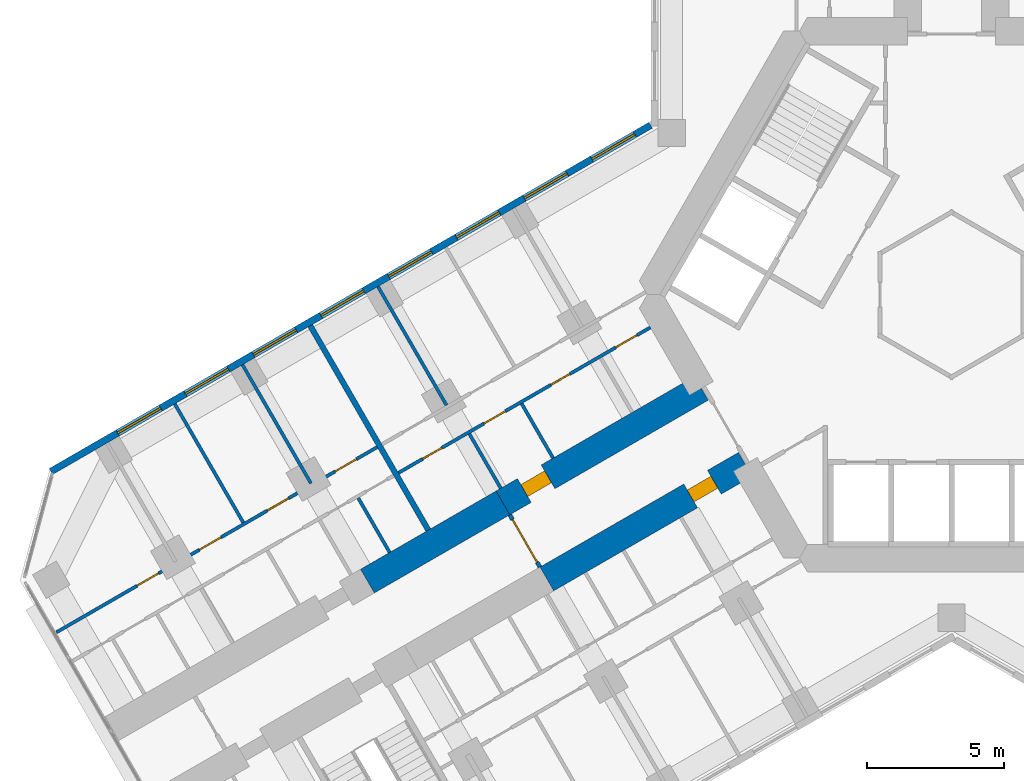
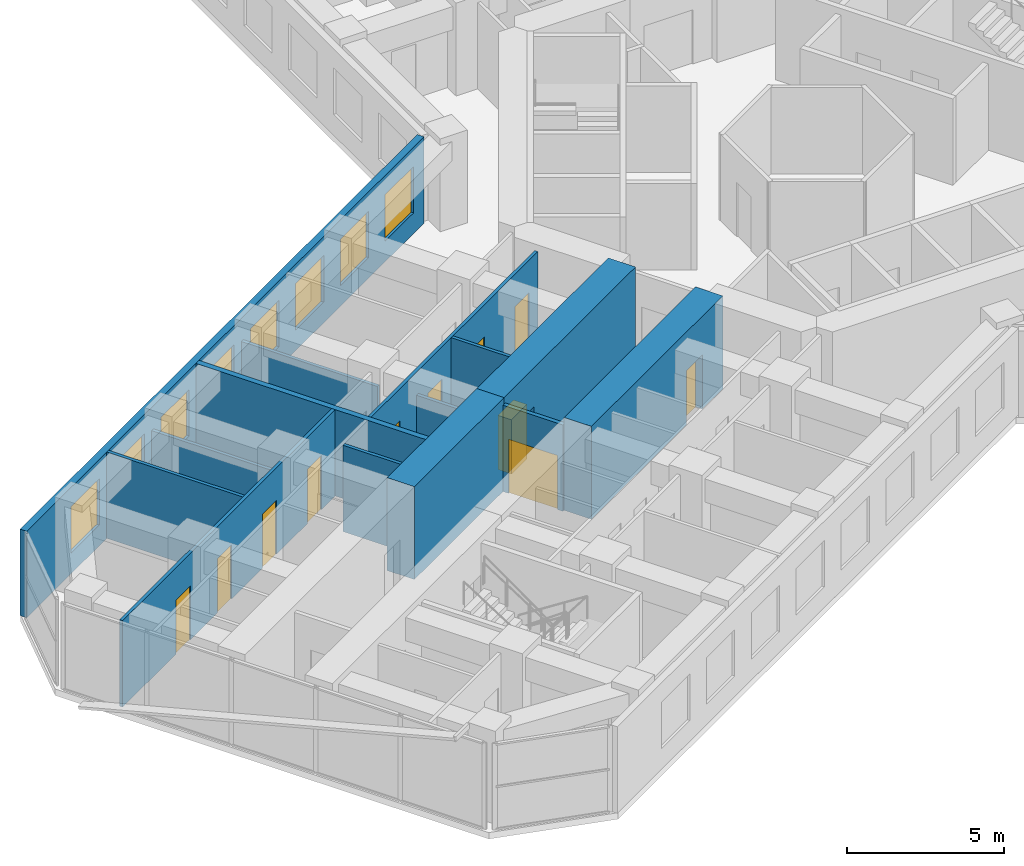
# One storey, part 12 of 21: 14 walls, 11 doors, 8 windows, 19 openings.
"""IFC4 building model written with IfcOpenShell, lengths in metres."""

from ifc_helpers import new_model, si_unit, direction, frame, frame_2d, origin, place, context, subcontext, project, spatial, rectangle, extrude, material, layer, layer_set, type_object, element, fill, save


model = new_model("IFC4")

# Units and contexts
model_context = context("Model", 3, precision=1e-05, world=origin(), true_north=direction((0.0, 1.0)))
body_context = subcontext(model_context, "Body", "Model", "MODEL_VIEW")
ifc_project = project(units=[si_unit("LENGTHUNIT", "METRE"), si_unit("AREAUNIT", "SQUARE_METRE"), si_unit("VOLUMEUNIT", "CUBIC_METRE"), si_unit("PLANEANGLEUNIT", "RADIAN"), si_unit("MASSUNIT", "GRAM", prefix="KILO")], contexts=[model_context])

# Site, building, storey
site_placement = place(None, origin())
site = spatial("IfcSite", under=ifc_project, at=site_placement, CompositionType="ELEMENT")
building_placement = place(site_placement, origin())
building = spatial("IfcBuilding", under=site, at=building_placement, Name="Kosmar Iwan School Tower", CompositionType="ELEMENT")
storey_placement = place(building_placement, frame((0.0, 0.0, 61.0)))
storey = spatial("IfcBuildingStorey", under=building, at=storey_placement, Name="L14", CompositionType="ELEMENT", Elevation=61.0)

# Wall, opening, door
ifc_material_1 = material(Name="Concrete C50/60", Category="concrete")
ifc_layer_1 = layer(ifc_material_1, 1.0)
ifc_layer_set_1 = layer_set([ifc_layer_1], Name="Corridor buttress wall 1000")
wall_type_1 = type_object("IfcWallType", Name="Corridor buttress wall 1000", PredefinedType="SHEAR", material=ifc_layer_set_1)
wall_1_placement = place(storey_placement, frame((-7.513916015625, -6.185546875, 0.0), z_axis=(0.0, 0.0, 1.0), x_axis=(-0.866019549707, -0.500010139422, 0.0)))
wall_1 = element("IfcWall", 1, at=wall_1_placement, inside=storey, type_object=wall_type_1, Name="Corridor wall BL", PredefinedType="SHEAR", context=body_context, shape_type="SweptSolid", body=[
    extrude(rectangle(XDim=8.349853515625, YDim=1.0, at=frame_2d((4.1748046875, 0.0))), origin(), (0.0, 0.0, 1.0), 3.60009765625),
])
opening_1_placement = place(wall_1_placement, frame((1.300048828125, 0.0, 0.0)))
opening_1 = element("IfcOpeningElement", 2, at=opening_1_placement, cuts=wall_1, Name="Opening D1", PredefinedType="OPENING", context=body_context, shape_type="SweptSolid", body=[
    extrude(rectangle(XDim=1.0, YDim=2.10009765625, at=frame_2d((0.5, 1.050048828125))), frame((0.0, 0.511962890625, 0.0), z_axis=(0.0, -1.0, 0.0), x_axis=(1.0, 0.0, 0.0)), (0.0, 0.0, 1.0), 1.02392578125),
])
ifc_material_2 = material(Name="Timber fire door in steel frame", Category="steel")
door_type_1 = type_object("IfcDoorType", Name="Flat entrance door 1000x2100", OperationType="SINGLE_SWING_LEFT", PredefinedType="DOOR", material=ifc_material_2)
door_1_placement = place(opening_1_placement, origin())
door_1 = element("IfcDoor", 3, at=door_1_placement, inside=storey, type_object=door_type_1, Name="Flat L14-BL1 entrance door", OperationType="SINGLE_SWING_RIGHT", OverallHeight=2.10009765625, OverallWidth=1.0, PredefinedType="DOOR", context=body_context, shape_type="SweptSolid", body=[
    extrude(rectangle(XDim=1.0, YDim=2.10009765625, at=frame_2d((0.5, 1.050048828125))), frame((0.0, 0.25, 0.0), z_axis=(0.0, -1.0, 0.0), x_axis=(1.0, 0.0, 0.0)), (0.0, 0.0, 1.0), 0.5),
])
fill(opening_1, door_1)

wall_2_placement = place(storey_placement, frame((-9.11376953125, -3.414306640625, 0.0), z_axis=(0.0, 0.0, 1.0), x_axis=(-0.866026859388, -0.499997478812, 0.0)))
wall_2 = element("IfcWall", 4, at=wall_2_placement, inside=storey, type_object=wall_type_1, Name="Corridor wall BR", PredefinedType="SHEAR", context=body_context, shape_type="SweptSolid", body=[
    extrude(rectangle(XDim=8.35009765625, YDim=1.0, at=frame_2d((4.175048828125, 0.0))), origin(), (0.0, 0.0, 1.0), 3.60009765625),
])
opening_2_placement = place(wall_2_placement, frame((6.449951171875, 0.0, 0.0)))
opening_2 = element("IfcOpeningElement", 5, at=opening_2_placement, cuts=wall_2, Name="Opening D1", PredefinedType="OPENING", context=body_context, shape_type="SweptSolid", body=[
    extrude(rectangle(XDim=1.0, YDim=2.10009765625, at=frame_2d((0.5, 1.050048828125))), frame((0.0, 0.511962890625, 0.0), z_axis=(0.0, -1.0, 0.0), x_axis=(1.0, 0.0, 0.0)), (0.0, 0.0, 1.0), 1.02392578125),
])
door_2_placement = place(opening_2_placement, origin())
door_2 = element("IfcDoor", 6, at=door_2_placement, inside=storey, type_object=door_type_1, Name="Flat L14-BR1 entrance door", OperationType="SINGLE_SWING_RIGHT", OverallHeight=2.10009765625, OverallWidth=1.0, PredefinedType="DOOR", context=body_context, shape_type="SweptSolid", body=[
    extrude(rectangle(XDim=1.0, YDim=2.10009765625, at=frame_2d((0.5, 1.050048828125))), frame((0.0, 0.25, 0.0), z_axis=(0.0, -1.0, 0.0), x_axis=(1.0, 0.0, 0.0)), (0.0, 0.0, 1.0), 0.5),
])
fill(opening_2, door_2)

# Wall
wall_3_placement = place(storey_placement, frame((-16.34521484375, -7.58935546875, 0.0), z_axis=(0.0, 0.0, 1.0), x_axis=(-0.866015111908, -0.50001782563, 0.0)))
element("IfcWall", 7, at=wall_3_placement, inside=storey, type_object=wall_type_1, Name="Corridor wall BR bay 2", PredefinedType="SHEAR", context=body_context, shape_type="SweptSolid", body=[
    extrude(rectangle(XDim=5.699951171875, YDim=1.0, at=frame_2d((2.85009765625, 0.0))), origin(), (0.0, 0.0, 1.0), 3.60009765625),
])

# Wall, opening, door
ifc_material_3 = material(Name="Gypsum board on steel studs, fire-rated", Category="steel")
ifc_layer_2 = layer(ifc_material_3, 0.14990234375)
ifc_layer_set_2 = layer_set([ifc_layer_2], Name="Corridor end wall 150")
wall_type_2 = type_object("IfcWallType", Name="Corridor end wall 150", PredefinedType="PARTITIONING", material=ifc_layer_set_2)
wall_4_placement = place(storey_placement, frame((-16.09521484375, -8.0224609375, 0.0), z_axis=(0.0, 0.0, 1.0), x_axis=(0.50002983664, -0.866008176907, 0.0)))
wall_4 = element("IfcWall", 8, at=wall_4_placement, inside=storey, type_object=wall_type_2, Name="Partition L14-B-HW", PredefinedType="PARTITIONING", context=body_context, shape_type="SweptSolid", body=[
    extrude(rectangle(XDim=2.199951171875, YDim=0.14990234375, at=frame_2d((1.10009765625, 0.0))), origin(), (0.0, 0.0, 1.0), 3.35009765625),
])
opening_3_placement = place(wall_4_placement, frame((0.199951171875, 0.0, 0.0)))
opening_3 = element("IfcOpeningElement", 9, at=opening_3_placement, cuts=wall_4, Name="Opening D9", PredefinedType="OPENING", context=body_context, shape_type="SweptSolid", body=[
    extrude(rectangle(XDim=1.800048828125, YDim=2.10009765625, at=frame_2d((0.89990234375, 1.050048828125))), frame((0.0, 0.0869140625, 0.0), z_axis=(0.0, -1.0, 0.0), x_axis=(1.0, 0.0, 0.0)), (0.0, 0.0, 1.0), 0.173828125),
])
ifc_material_4 = material(Name="Steel framed glazed smoke door", Category="steel")
door_type_2 = type_object("IfcDoorType", Name="Corridor smoke door pair 1800x2100", OperationType="DOUBLE_DOOR_DOUBLE_SWING", PredefinedType="DOOR", material=ifc_material_4)
door_3_placement = place(opening_3_placement, origin())
door_3 = element("IfcDoor", 10, at=door_3_placement, inside=storey, type_object=door_type_2, Name="Entrance vestibule smoke doors L14-B", OperationType="DOUBLE_DOOR_DOUBLE_SWING", OverallHeight=2.10009765625, OverallWidth=1.800048828125, PredefinedType="DOOR", context=body_context, shape_type="SweptSolid", body=[
    extrude(rectangle(XDim=1.800048828125, YDim=2.10009765625, at=frame_2d((0.89990234375, 1.050048828125))), frame((0.0, 0.02490234375, 0.0), z_axis=(0.0, -1.0, 0.0), x_axis=(1.0, 0.0, 0.0)), (0.0, 0.0, 1.0), 0.050048828125),
])
fill(opening_3, door_3)

# Wall, openings, doors
ifc_material_5 = material(Name="Gypsum board on steel studs", Category="steel")
ifc_layer_3 = layer(ifc_material_5, 0.1201171875)
ifc_layer_set_3 = layer_set([ifc_layer_3], Name="Dwelling partition 120")
wall_type_3 = type_object("IfcWallType", Name="Dwelling partition 120", PredefinedType="PARTITIONING", material=ifc_layer_set_3)
wall_5_placement = place(storey_placement, frame((-10.971923828125, -1.1962890625, 0.0), z_axis=(0.0, 0.0, 1.0), x_axis=(-0.866034853001, -0.49998363312, 0.0)))
wall_5 = element("IfcWall", 11, at=wall_5_placement, inside=storey, type_object=wall_type_3, Name="Partition L14-BR1-W1", PredefinedType="PARTITIONING", context=body_context, shape_type="SweptSolid", body=[
    extrude(rectangle(XDim=10.599853515625, YDim=0.1201171875, at=frame_2d((5.2998046875, 0.0))), origin(), (0.0, 0.0, 1.0), 3.35009765625),
])
opening_4_placement = place(wall_5_placement, frame((0.56005859375, 0.0, 0.0)))
opening_4 = element("IfcOpeningElement", 12, at=opening_4_placement, cuts=wall_5, Name="Opening D2", PredefinedType="OPENING", context=body_context, shape_type="SweptSolid", body=[
    extrude(rectangle(XDim=0.89990234375, YDim=2.10009765625, at=frame_2d((0.449951171875, 1.050048828125))), frame((0.0, 0.072021484375, 0.0), z_axis=(0.0, -1.0, 0.0), x_axis=(1.0, 0.0, 0.0)), (0.0, 0.0, 1.0), 0.14404296875),
])
opening_5_placement = place(wall_5_placement, frame((3.385009765625, 0.0, 0.0)))
opening_5 = element("IfcOpeningElement", 13, at=opening_5_placement, cuts=wall_5, Name="Opening D3", PredefinedType="OPENING", context=body_context, shape_type="SweptSolid", body=[
    extrude(rectangle(XDim=0.800048828125, YDim=2.10009765625, at=frame_2d((0.39990234375, 1.050048828125))), frame((0.0, 0.072021484375, 0.0), z_axis=(0.0, -1.0, 0.0), x_axis=(1.0, 0.0, 0.0)), (0.0, 0.0, 1.0), 0.14404296875),
])
opening_6_placement = place(wall_5_placement, frame((6.10009765625, 0.0, 0.0)))
opening_6 = element("IfcOpeningElement", 14, at=opening_6_placement, cuts=wall_5, Name="Opening D2", PredefinedType="OPENING", context=body_context, shape_type="SweptSolid", body=[
    extrude(rectangle(XDim=0.89990234375, YDim=2.10009765625, at=frame_2d((0.449951171875, 1.050048828125))), frame((0.0, 0.072021484375, 0.0), z_axis=(0.0, -1.0, 0.0), x_axis=(1.0, 0.0, 0.0)), (0.0, 0.0, 1.0), 0.14404296875),
])
opening_7_placement = place(wall_5_placement, frame((8.77490234375, 0.0, 0.0)))
opening_7 = element("IfcOpeningElement", 15, at=opening_7_placement, cuts=wall_5, Name="Opening D3", PredefinedType="OPENING", context=body_context, shape_type="SweptSolid", body=[
    extrude(rectangle(XDim=0.800048828125, YDim=2.10009765625, at=frame_2d((0.39990234375, 1.050048828125))), frame((0.0, 0.072021484375, 0.0), z_axis=(0.0, -1.0, 0.0), x_axis=(1.0, 0.0, 0.0)), (0.0, 0.0, 1.0), 0.14404296875),
])
ifc_material_6 = material(Name="Timber door in timber frame", Category="wood")
door_type_3 = type_object("IfcDoorType", Name="Internal door 900x2100", OperationType="SINGLE_SWING_LEFT", PredefinedType="DOOR", material=ifc_material_6)
door_4_placement = place(opening_4_placement, origin())
door_4 = element("IfcDoor", 16, at=door_4_placement, inside=storey, type_object=door_type_3, Name="Pantry door L14-BR1-S1", OperationType="SINGLE_SWING_RIGHT", OverallHeight=2.10009765625, OverallWidth=0.89990234375, PredefinedType="DOOR", context=body_context, shape_type="SweptSolid", body=[
    extrude(rectangle(XDim=0.89990234375, YDim=2.10009765625, at=frame_2d((0.449951171875, 1.050048828125))), frame((0.0, 0.02490234375, 0.0), z_axis=(0.0, -1.0, 0.0), x_axis=(1.0, 0.0, 0.0)), (0.0, 0.0, 1.0), 0.050048828125),
])
fill(opening_4, door_4)
door_5_placement = place(opening_6_placement, origin())
door_5 = element("IfcDoor", 17, at=door_5_placement, inside=storey, type_object=door_type_3, Name="Entrance hall door L14-BR1-S3", OperationType="SINGLE_SWING_RIGHT", OverallHeight=2.10009765625, OverallWidth=0.89990234375, PredefinedType="DOOR", context=body_context, shape_type="SweptSolid", body=[
    extrude(rectangle(XDim=0.89990234375, YDim=2.10009765625, at=frame_2d((0.449951171875, 1.050048828125))), frame((0.0, 0.02490234375, 0.0), z_axis=(0.0, -1.0, 0.0), x_axis=(1.0, 0.0, 0.0)), (0.0, 0.0, 1.0), 0.050048828125),
])
fill(opening_6, door_5)
ifc_material_7 = material(Name="Timber door in timber frame", Category="wood")
door_type_4 = type_object("IfcDoorType", Name="Sanitary room door 800x2100", OperationType="SINGLE_SWING_LEFT", PredefinedType="DOOR", material=ifc_material_7)
door_6_placement = place(opening_5_placement, origin())
door_6 = element("IfcDoor", 18, at=door_6_placement, inside=storey, type_object=door_type_4, Name="Bathroom door L14-BR1-S2", OperationType="SINGLE_SWING_LEFT", OverallHeight=2.10009765625, OverallWidth=0.800048828125, PredefinedType="DOOR", context=body_context, shape_type="SweptSolid", body=[
    extrude(rectangle(XDim=0.800048828125, YDim=2.10009765625, at=frame_2d((0.39990234375, 1.050048828125))), frame((0.0, 0.02490234375, 0.0), z_axis=(0.0, -1.0, 0.0), x_axis=(1.0, 0.0, 0.0)), (0.0, 0.0, 1.0), 0.050048828125),
])
fill(opening_5, door_6)
door_7_placement = place(opening_7_placement, origin())
door_7 = element("IfcDoor", 19, at=door_7_placement, inside=storey, type_object=door_type_4, Name="WC door L14-BR1-S4", OperationType="SINGLE_SWING_RIGHT", OverallHeight=2.10009765625, OverallWidth=0.800048828125, PredefinedType="DOOR", context=body_context, shape_type="SweptSolid", body=[
    extrude(rectangle(XDim=0.800048828125, YDim=2.10009765625, at=frame_2d((0.39990234375, 1.050048828125))), frame((0.0, 0.02490234375, 0.0), z_axis=(0.0, -1.0, 0.0), x_axis=(1.0, 0.0, 0.0)), (0.0, 0.0, 1.0), 0.050048828125),
])
fill(opening_7, door_7)

# Walls
wall_6_placement = place(storey_placement, frame((-18.400146484375, -4.030029296875, 0.0), z_axis=(0.0, 0.0, 1.0), x_axis=(-0.500011847778, 0.866018563358, 0.0)))
element("IfcWall", 20, at=wall_6_placement, inside=storey, type_object=wall_type_3, Name="Partition L14-BR1-X3", PredefinedType="PARTITIONING", context=body_context, shape_type="SweptSolid", body=[
    extrude(rectangle(XDim=4.990234375, YDim=0.1201171875, at=frame_2d((2.4951171875, 0.0))), origin(), (0.0, 0.0, 1.0), 2.449951171875),
])
wall_7_placement = place(storey_placement, frame((-14.5166015625, -5.956298828125, 0.0), z_axis=(0.0, 0.0, 1.0), x_axis=(-0.500014693593, 0.866016920268, 0.0)))
element("IfcWall", 21, at=wall_7_placement, inside=storey, type_object=wall_type_3, Name="Partition L14-BR1-Y2", PredefinedType="PARTITIONING", context=body_context, shape_type="SweptSolid", body=[
    extrude(rectangle(XDim=2.2900390625, YDim=0.1201171875, at=frame_2d((1.14501953125, 0.0))), origin(), (0.0, 0.0, 1.0), 3.35009765625),
])
wall_8_placement = place(storey_placement, frame((-16.421875, -7.056396484375, 0.0), z_axis=(0.0, 0.0, 1.0), x_axis=(-0.500014693593, 0.866016920268, 0.0)))
element("IfcWall", 22, at=wall_8_placement, inside=storey, type_object=wall_type_3, Name="Partition L14-BR1-Y3", PredefinedType="PARTITIONING", context=body_context, shape_type="SweptSolid", body=[
    extrude(rectangle(XDim=2.2900390625, YDim=0.1201171875, at=frame_2d((1.14501953125, 0.0))), origin(), (0.0, 0.0, 1.0), 2.449951171875),
])

# Wall, openings, doors
wall_9_placement = place(storey_placement, frame((-20.9248046875, -5.556884765625, 0.0), z_axis=(0.0, 0.0, 1.0), x_axis=(-0.866028025956, -0.499995458239, 0.0)))
wall_9 = element("IfcWall", 23, at=wall_9_placement, inside=storey, type_object=wall_type_3, Name="Partition L14-BR2-W2", PredefinedType="PARTITIONING", context=body_context, shape_type="SweptSolid", body=[
    extrude(rectangle(XDim=13.495361328125, YDim=0.1201171875, at=frame_2d((6.74755859375, 0.0))), origin(), (0.0, 0.0, 1.0), 3.35009765625),
])
opening_8_placement = place(wall_9_placement, frame((0.875, 0.0, 0.0)))
opening_8 = element("IfcOpeningElement", 24, at=opening_8_placement, cuts=wall_9, Name="Opening D2", PredefinedType="OPENING", context=body_context, shape_type="SweptSolid", body=[
    extrude(rectangle(XDim=0.89990234375, YDim=2.10009765625, at=frame_2d((0.449951171875, 1.050048828125))), frame((0.0, 0.072021484375, 0.0), z_axis=(0.0, -1.0, 0.0), x_axis=(1.0, 0.0, 0.0)), (0.0, 0.0, 1.0), 0.14404296875),
])
opening_9_placement = place(wall_9_placement, frame((3.72509765625, 0.0, 0.0)))
opening_9 = element("IfcOpeningElement", 25, at=opening_9_placement, cuts=wall_9, Name="Opening D2", PredefinedType="OPENING", context=body_context, shape_type="SweptSolid", body=[
    extrude(rectangle(XDim=0.89990234375, YDim=2.10009765625, at=frame_2d((0.449951171875, 1.050048828125))), frame((0.0, 0.072021484375, 0.0), z_axis=(0.0, -1.0, 0.0), x_axis=(1.0, 0.0, 0.0)), (0.0, 0.0, 1.0), 0.14404296875),
])
opening_10_placement = place(wall_9_placement, frame((6.574951171875, 0.0, 0.0)))
opening_10 = element("IfcOpeningElement", 26, at=opening_10_placement, cuts=wall_9, Name="Opening D2", PredefinedType="OPENING", context=body_context, shape_type="SweptSolid", body=[
    extrude(rectangle(XDim=0.89990234375, YDim=2.10009765625, at=frame_2d((0.449951171875, 1.050048828125))), frame((0.0, 0.072021484375, 0.0), z_axis=(0.0, -1.0, 0.0), x_axis=(1.0, 0.0, 0.0)), (0.0, 0.0, 1.0), 0.14404296875),
])
opening_11_placement = place(wall_9_placement, frame((9.199951171875, 0.0, 0.0)))
opening_11 = element("IfcOpeningElement", 27, at=opening_11_placement, cuts=wall_9, Name="Opening D2", PredefinedType="OPENING", context=body_context, shape_type="SweptSolid", body=[
    extrude(rectangle(XDim=0.89990234375, YDim=2.10009765625, at=frame_2d((0.449951171875, 1.050048828125))), frame((0.0, 0.072021484375, 0.0), z_axis=(0.0, -1.0, 0.0), x_axis=(1.0, 0.0, 0.0)), (0.0, 0.0, 1.0), 0.14404296875),
])
door_8_placement = place(opening_8_placement, origin())
door_8 = element("IfcDoor", 28, at=door_8_placement, inside=storey, type_object=door_type_3, Name="Study door L14-BR2-F1", OperationType="SINGLE_SWING_LEFT", OverallHeight=2.10009765625, OverallWidth=0.89990234375, PredefinedType="DOOR", context=body_context, shape_type="SweptSolid", body=[
    extrude(rectangle(XDim=0.89990234375, YDim=2.10009765625, at=frame_2d((0.449951171875, 1.050048828125))), frame((0.0, 0.02490234375, 0.0), z_axis=(0.0, -1.0, 0.0), x_axis=(1.0, 0.0, 0.0)), (0.0, 0.0, 1.0), 0.050048828125),
])
fill(opening_8, door_8)
door_9_placement = place(opening_9_placement, origin())
door_9 = element("IfcDoor", 29, at=door_9_placement, inside=storey, type_object=door_type_3, Name="Bedroom 1 door L14-BR2-F2", OperationType="SINGLE_SWING_LEFT", OverallHeight=2.10009765625, OverallWidth=0.89990234375, PredefinedType="DOOR", context=body_context, shape_type="SweptSolid", body=[
    extrude(rectangle(XDim=0.89990234375, YDim=2.10009765625, at=frame_2d((0.449951171875, 1.050048828125))), frame((0.0, 0.02490234375, 0.0), z_axis=(0.0, -1.0, 0.0), x_axis=(1.0, 0.0, 0.0)), (0.0, 0.0, 1.0), 0.050048828125),
])
fill(opening_9, door_9)
door_10_placement = place(opening_10_placement, origin())
door_10 = element("IfcDoor", 30, at=door_10_placement, inside=storey, type_object=door_type_3, Name="Bedroom 2 door L14-BR2-F3", OperationType="SINGLE_SWING_RIGHT", OverallHeight=2.10009765625, OverallWidth=0.89990234375, PredefinedType="DOOR", context=body_context, shape_type="SweptSolid", body=[
    extrude(rectangle(XDim=0.89990234375, YDim=2.10009765625, at=frame_2d((0.449951171875, 1.050048828125))), frame((0.0, 0.02490234375, 0.0), z_axis=(0.0, -1.0, 0.0), x_axis=(1.0, 0.0, 0.0)), (0.0, 0.0, 1.0), 0.050048828125),
])
fill(opening_10, door_10)
door_11_placement = place(opening_11_placement, origin())
door_11 = element("IfcDoor", 31, at=door_11_placement, inside=storey, type_object=door_type_3, Name="Living room and kitchen door L14-BR2-F4", OperationType="SINGLE_SWING_RIGHT", OverallHeight=2.10009765625, OverallWidth=0.89990234375, PredefinedType="DOOR", context=body_context, shape_type="SweptSolid", body=[
    extrude(rectangle(XDim=0.89990234375, YDim=2.10009765625, at=frame_2d((0.449951171875, 1.050048828125))), frame((0.0, 0.02490234375, 0.0), z_axis=(0.0, -1.0, 0.0), x_axis=(1.0, 0.0, 0.0)), (0.0, 0.0, 1.0), 0.050048828125),
])
fill(opening_11, door_11)

# Walls
wall_10_placement = place(storey_placement, frame((-23.33642578125, -6.8798828125, 0.0), z_axis=(0.0, 0.0, 1.0), x_axis=(-0.500033033937, 0.866006330792, 0.0)))
element("IfcWall", 32, at=wall_10_placement, inside=storey, type_object=wall_type_3, Name="Partition L14-BR2-X1", PredefinedType="PARTITIONING", context=body_context, shape_type="SweptSolid", body=[
    extrude(rectangle(XDim=4.989990234375, YDim=0.1201171875, at=frame_2d((2.4951171875, 0.0))), origin(), (0.0, 0.0, 1.0), 2.449951171875),
])
wall_11_placement = place(storey_placement, frame((-25.8046875, -8.304931640625, 0.0), z_axis=(0.0, 0.0, 1.0), x_axis=(-0.499975153383, 0.86603974851, 0.0)))
element("IfcWall", 33, at=wall_11_placement, inside=storey, type_object=wall_type_3, Name="Partition L14-BR2-X2", PredefinedType="PARTITIONING", context=body_context, shape_type="SweptSolid", body=[
    extrude(rectangle(XDim=4.989990234375, YDim=0.1201171875, at=frame_2d((2.4951171875, 0.0))), origin(), (0.0, 0.0, 1.0), 3.35009765625),
])
wall_12_placement = place(storey_placement, frame((-20.470703125, -9.393798828125, 0.0), z_axis=(0.0, 0.0, 1.0), x_axis=(-0.500014693593, 0.866016920268, 0.0)))
element("IfcWall", 34, at=wall_12_placement, inside=storey, type_object=wall_type_3, Name="Partition L14-BR2-Y1", PredefinedType="PARTITIONING", context=body_context, shape_type="SweptSolid", body=[
    extrude(rectangle(XDim=2.2900390625, YDim=0.1201171875, at=frame_2d((1.14501953125, 0.0))), origin(), (0.0, 0.0, 1.0), 3.35009765625),
])

# Wall, openings, windows
ifc_material_8 = material(Name="Black aluminium rainscreen on insulated framing", Category="aluminium")
ifc_layer_4 = layer(ifc_material_8, 0.25)
ifc_layer_set_4 = layer_set([ifc_layer_4], Name="External wall rainscreen 250")
wall_type_4 = type_object("IfcWallType", Name="External wall rainscreen 250", PredefinedType="SOLIDWALL", material=ifc_layer_set_4)
wall_13_placement = place(storey_placement, frame((-10.962890625, 6.170166015625, 0.0), z_axis=(0.0, 0.0, 1.0), x_axis=(-0.86602796634, -0.499995561497, 0.0)))
wall_13 = element("IfcWall", 35, at=wall_13_placement, inside=storey, type_object=wall_type_4, Name="External wall BR L14", PredefinedType="SOLIDWALL", context=body_context, shape_type="SweptSolid", body=[
    extrude(rectangle(XDim=25.226318359375, YDim=0.25, at=frame_2d((12.61328125, 0.0))), origin(), (0.0, 0.0, 1.0), 3.35009765625),
])
opening_12_placement = place(wall_13_placement, frame((0.666015625, 0.0, 0.800048828125)))
opening_12 = element("IfcOpeningElement", 36, at=opening_12_placement, cuts=wall_13, Name="Opening W1", PredefinedType="OPENING", context=body_context, shape_type="SweptSolid", body=[
    extrude(rectangle(XDim=1.800048828125, YDim=1.800048828125, at=frame_2d((0.89990234375, 0.89990234375))), frame((0.0, 0.136962890625, 0.0), z_axis=(0.0, -1.0, 0.0), x_axis=(1.0, 0.0, 0.0)), (0.0, 0.0, 1.0), 0.27392578125),
])
opening_13_placement = place(wall_13_placement, frame((3.51611328125, 0.0, 0.800048828125)))
opening_13 = element("IfcOpeningElement", 37, at=opening_13_placement, cuts=wall_13, Name="Opening W1", PredefinedType="OPENING", context=body_context, shape_type="SweptSolid", body=[
    extrude(rectangle(XDim=1.800048828125, YDim=1.800048828125, at=frame_2d((0.89990234375, 0.89990234375))), frame((0.0, 0.136962890625, 0.0), z_axis=(0.0, -1.0, 0.0), x_axis=(1.0, 0.0, 0.0)), (0.0, 0.0, 1.0), 0.27392578125),
])
opening_14_placement = place(wall_13_placement, frame((6.365966796875, 0.0, 0.800048828125)))
opening_14 = element("IfcOpeningElement", 38, at=opening_14_placement, cuts=wall_13, Name="Opening W1", PredefinedType="OPENING", context=body_context, shape_type="SweptSolid", body=[
    extrude(rectangle(XDim=1.800048828125, YDim=1.800048828125, at=frame_2d((0.89990234375, 0.89990234375))), frame((0.0, 0.136962890625, 0.0), z_axis=(0.0, -1.0, 0.0), x_axis=(1.0, 0.0, 0.0)), (0.0, 0.0, 1.0), 0.27392578125),
])
opening_15_placement = place(wall_13_placement, frame((9.216064453125, 0.0, 0.800048828125)))
opening_15 = element("IfcOpeningElement", 39, at=opening_15_placement, cuts=wall_13, Name="Opening W1", PredefinedType="OPENING", context=body_context, shape_type="SweptSolid", body=[
    extrude(rectangle(XDim=1.800048828125, YDim=1.800048828125, at=frame_2d((0.89990234375, 0.89990234375))), frame((0.0, 0.136962890625, 0.0), z_axis=(0.0, -1.0, 0.0), x_axis=(1.0, 0.0, 0.0)), (0.0, 0.0, 1.0), 0.27392578125),
])
opening_16_placement = place(wall_13_placement, frame((12.06591796875, 0.0, 0.800048828125)))
opening_16 = element("IfcOpeningElement", 40, at=opening_16_placement, cuts=wall_13, Name="Opening W1", PredefinedType="OPENING", context=body_context, shape_type="SweptSolid", body=[
    extrude(rectangle(XDim=1.800048828125, YDim=1.800048828125, at=frame_2d((0.89990234375, 0.89990234375))), frame((0.0, 0.136962890625, 0.0), z_axis=(0.0, -1.0, 0.0), x_axis=(1.0, 0.0, 0.0)), (0.0, 0.0, 1.0), 0.27392578125),
])
opening_17_placement = place(wall_13_placement, frame((14.916015625, 0.0, 0.800048828125)))
opening_17 = element("IfcOpeningElement", 41, at=opening_17_placement, cuts=wall_13, Name="Opening W1", PredefinedType="OPENING", context=body_context, shape_type="SweptSolid", body=[
    extrude(rectangle(XDim=1.800048828125, YDim=1.800048828125, at=frame_2d((0.89990234375, 0.89990234375))), frame((0.0, 0.136962890625, 0.0), z_axis=(0.0, -1.0, 0.0), x_axis=(1.0, 0.0, 0.0)), (0.0, 0.0, 1.0), 0.27392578125),
])
opening_18_placement = place(wall_13_placement, frame((17.76611328125, 0.0, 0.800048828125)))
opening_18 = element("IfcOpeningElement", 42, at=opening_18_placement, cuts=wall_13, Name="Opening W1", PredefinedType="OPENING", context=body_context, shape_type="SweptSolid", body=[
    extrude(rectangle(XDim=1.800048828125, YDim=1.800048828125, at=frame_2d((0.89990234375, 0.89990234375))), frame((0.0, 0.136962890625, 0.0), z_axis=(0.0, -1.0, 0.0), x_axis=(1.0, 0.0, 0.0)), (0.0, 0.0, 1.0), 0.27392578125),
])
opening_19_placement = place(wall_13_placement, frame((20.615966796875, 0.0, 0.800048828125)))
opening_19 = element("IfcOpeningElement", 43, at=opening_19_placement, cuts=wall_13, Name="Opening W1", PredefinedType="OPENING", context=body_context, shape_type="SweptSolid", body=[
    extrude(rectangle(XDim=1.800048828125, YDim=1.800048828125, at=frame_2d((0.89990234375, 0.89990234375))), frame((0.0, 0.136962890625, 0.0), z_axis=(0.0, -1.0, 0.0), x_axis=(1.0, 0.0, 0.0)), (0.0, 0.0, 1.0), 0.27392578125),
])
ifc_material_9 = material(Name="Black aluminium frame with dark triple glazing", Category="aluminium")
window_type = type_object("IfcWindowType", Name="Window 1800x1800", PartitioningType="SINGLE_PANEL", PredefinedType="WINDOW", material=ifc_material_9)
window_1_placement = place(opening_12_placement, origin())
window_1 = element("IfcWindow", 44, at=window_1_placement, inside=storey, type_object=window_type, Name="Window BR L14 -1", OverallHeight=1.800048828125, OverallWidth=1.800048828125, PartitioningType="SINGLE_PANEL", PredefinedType="WINDOW", context=body_context, shape_type="SweptSolid", body=[
    extrude(rectangle(XDim=1.800048828125, YDim=1.800048828125, at=frame_2d((0.89990234375, 0.89990234375))), frame((0.0, 0.030029296875, 0.0), z_axis=(0.0, -1.0, 0.0), x_axis=(1.0, 0.0, 0.0)), (0.0, 0.0, 1.0), 0.06005859375),
])
fill(opening_12, window_1)
window_2_placement = place(opening_13_placement, origin())
window_2 = element("IfcWindow", 45, at=window_2_placement, inside=storey, type_object=window_type, Name="Window BR L14 0", OverallHeight=1.800048828125, OverallWidth=1.800048828125, PartitioningType="SINGLE_PANEL", PredefinedType="WINDOW", context=body_context, shape_type="SweptSolid", body=[
    extrude(rectangle(XDim=1.800048828125, YDim=1.800048828125, at=frame_2d((0.89990234375, 0.89990234375))), frame((0.0, 0.030029296875, 0.0), z_axis=(0.0, -1.0, 0.0), x_axis=(1.0, 0.0, 0.0)), (0.0, 0.0, 1.0), 0.06005859375),
])
fill(opening_13, window_2)
window_3_placement = place(opening_14_placement, origin())
window_3 = element("IfcWindow", 46, at=window_3_placement, inside=storey, type_object=window_type, Name="Window BR L14 1", OverallHeight=1.800048828125, OverallWidth=1.800048828125, PartitioningType="SINGLE_PANEL", PredefinedType="WINDOW", context=body_context, shape_type="SweptSolid", body=[
    extrude(rectangle(XDim=1.800048828125, YDim=1.800048828125, at=frame_2d((0.89990234375, 0.89990234375))), frame((0.0, 0.030029296875, 0.0), z_axis=(0.0, -1.0, 0.0), x_axis=(1.0, 0.0, 0.0)), (0.0, 0.0, 1.0), 0.06005859375),
])
fill(opening_14, window_3)
window_4_placement = place(opening_15_placement, origin())
window_4 = element("IfcWindow", 47, at=window_4_placement, inside=storey, type_object=window_type, Name="Window BR L14 2", OverallHeight=1.800048828125, OverallWidth=1.800048828125, PartitioningType="SINGLE_PANEL", PredefinedType="WINDOW", context=body_context, shape_type="SweptSolid", body=[
    extrude(rectangle(XDim=1.800048828125, YDim=1.800048828125, at=frame_2d((0.89990234375, 0.89990234375))), frame((0.0, 0.030029296875, 0.0), z_axis=(0.0, -1.0, 0.0), x_axis=(1.0, 0.0, 0.0)), (0.0, 0.0, 1.0), 0.06005859375),
])
fill(opening_15, window_4)
window_5_placement = place(opening_16_placement, origin())
window_5 = element("IfcWindow", 48, at=window_5_placement, inside=storey, type_object=window_type, Name="Window BR L14 3", OverallHeight=1.800048828125, OverallWidth=1.800048828125, PartitioningType="SINGLE_PANEL", PredefinedType="WINDOW", context=body_context, shape_type="SweptSolid", body=[
    extrude(rectangle(XDim=1.800048828125, YDim=1.800048828125, at=frame_2d((0.89990234375, 0.89990234375))), frame((0.0, 0.030029296875, 0.0), z_axis=(0.0, -1.0, 0.0), x_axis=(1.0, 0.0, 0.0)), (0.0, 0.0, 1.0), 0.06005859375),
])
fill(opening_16, window_5)
window_6_placement = place(opening_17_placement, origin())
window_6 = element("IfcWindow", 49, at=window_6_placement, inside=storey, type_object=window_type, Name="Window BR L14 4", OverallHeight=1.800048828125, OverallWidth=1.800048828125, PartitioningType="SINGLE_PANEL", PredefinedType="WINDOW", context=body_context, shape_type="SweptSolid", body=[
    extrude(rectangle(XDim=1.800048828125, YDim=1.800048828125, at=frame_2d((0.89990234375, 0.89990234375))), frame((0.0, 0.030029296875, 0.0), z_axis=(0.0, -1.0, 0.0), x_axis=(1.0, 0.0, 0.0)), (0.0, 0.0, 1.0), 0.06005859375),
])
fill(opening_17, window_6)
window_7_placement = place(opening_18_placement, origin())
window_7 = element("IfcWindow", 50, at=window_7_placement, inside=storey, type_object=window_type, Name="Window BR L14 5", OverallHeight=1.800048828125, OverallWidth=1.800048828125, PartitioningType="SINGLE_PANEL", PredefinedType="WINDOW", context=body_context, shape_type="SweptSolid", body=[
    extrude(rectangle(XDim=1.800048828125, YDim=1.800048828125, at=frame_2d((0.89990234375, 0.89990234375))), frame((0.0, 0.030029296875, 0.0), z_axis=(0.0, -1.0, 0.0), x_axis=(1.0, 0.0, 0.0)), (0.0, 0.0, 1.0), 0.06005859375),
])
fill(opening_18, window_7)
window_8_placement = place(opening_19_placement, origin())
window_8 = element("IfcWindow", 51, at=window_8_placement, inside=storey, type_object=window_type, Name="Window BR L14 6", OverallHeight=1.800048828125, OverallWidth=1.800048828125, PartitioningType="SINGLE_PANEL", PredefinedType="WINDOW", context=body_context, shape_type="SweptSolid", body=[
    extrude(rectangle(XDim=1.800048828125, YDim=1.800048828125, at=frame_2d((0.89990234375, 0.89990234375))), frame((0.0, 0.030029296875, 0.0), z_axis=(0.0, -1.0, 0.0), x_axis=(1.0, 0.0, 0.0)), (0.0, 0.0, 1.0), 0.06005859375),
])
fill(opening_19, window_8)

# Wall
ifc_material_10 = material(Name="Concrete block masonry", Category="masonry")
ifc_layer_5 = layer(ifc_material_10, 0.199951171875)
ifc_layer_set_5 = layer_set([ifc_layer_5], Name="Party wall 200")
wall_type_5 = type_object("IfcWallType", Name="Party wall 200", PredefinedType="PARTITIONING", material=ifc_layer_set_5)
wall_14_placement = place(storey_placement, frame((-19.063232421875, -8.581298828125, 0.0), z_axis=(0.0, 0.0, 1.0), x_axis=(-0.500007509209, 0.866021068297, 0.0)))
element("IfcWall", 52, at=wall_14_placement, inside=storey, type_object=wall_type_5, Name="Partition L14-BR2-PW", PredefinedType="PARTITIONING", context=body_context, shape_type="SweptSolid", body=[
    extrude(rectangle(XDim=8.599853515625, YDim=0.199951171875, at=frame_2d((4.2998046875, 0.0))), origin(), (0.0, 0.0, 1.0), 3.35009765625),
])

save(model, "model.ifc")
